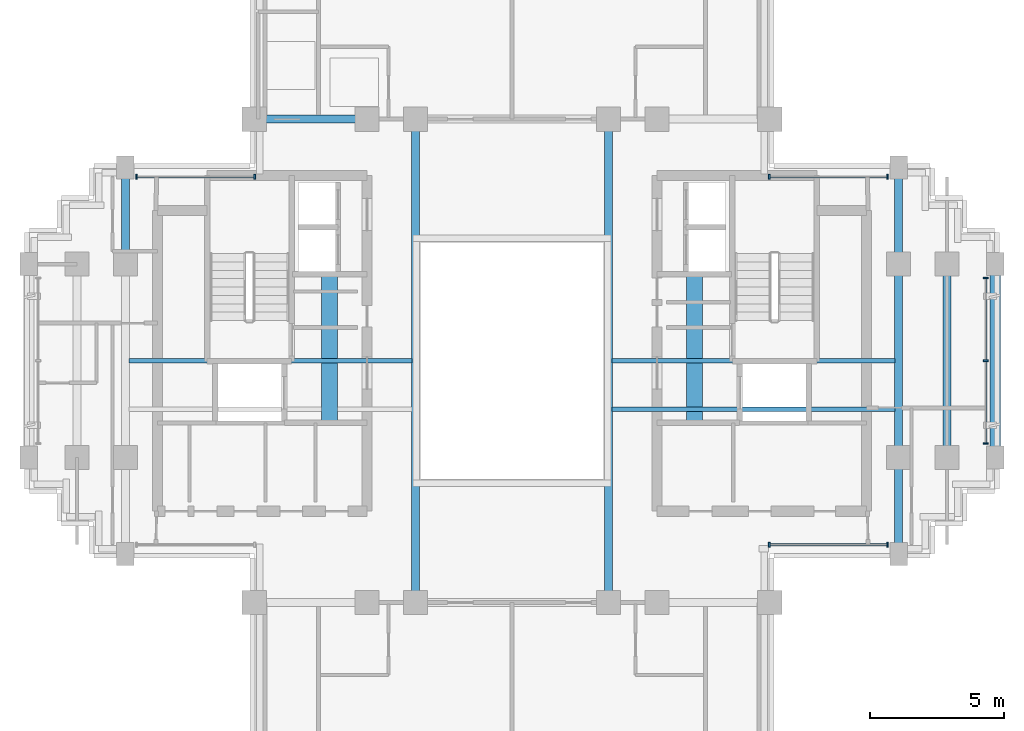
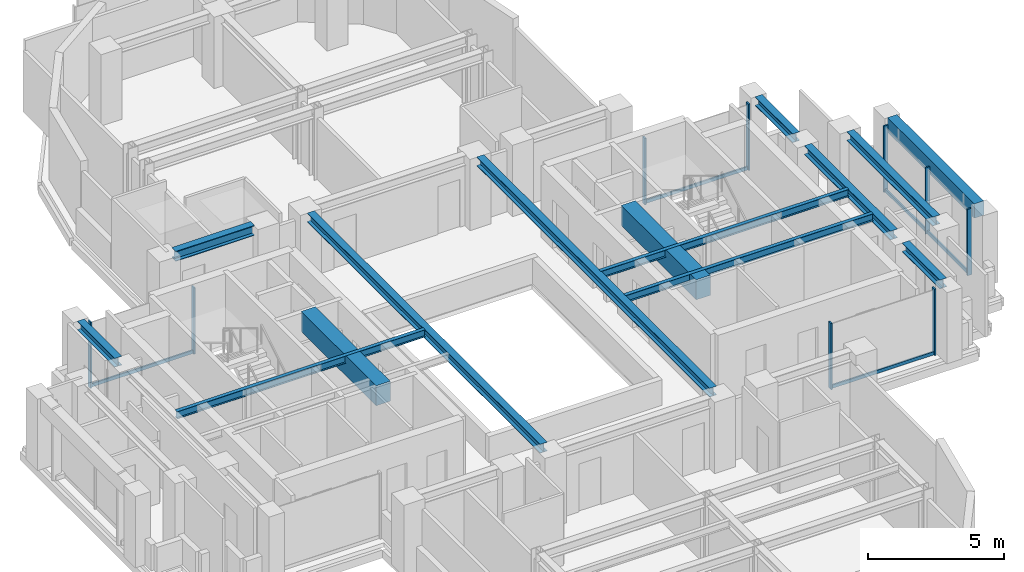
# One storey, part 3 of 12: 14 beams, 14 members, 4 elements without a shape of their own.
"""IFC4 building model written with IfcOpenShell, lengths in metres."""

import ifcopenshell
import ifcopenshell.guid

model = None  # the IFC model being written
_history = None  # IfcOwnerHistory: only IFC2X3 demands one
_inside = {}  # id of a spatial element -> (the spatial element, [elements in it])
_under = {}  # id of a project, library or spatial element -> (it, [spatial elements below it])
_declared = {}  # id of a project -> (the project, [libraries it declares])
_typed = {}  # id of a type object -> (the type object, [elements of that type])
_made_of = {}  # id of a material, layer set ... -> (it, [elements and type objects made of it])


def new_model(schema):
    """Start an empty IFC model of exactly this schema.

    Asked for "IFC4X3", IfcOpenShell would pick the latest addendum, in which some entities
    have other attributes; the version numbers below select the first issue.
    IFC2X3 requires an IfcOwnerHistory on every rooted entity: one is made here for all.
    """
    global model, _history
    if schema == "IFC4X3":
        model = ifcopenshell.file(schema_version=(4, 3, 0, 0))
    else:
        model = ifcopenshell.file(schema=schema)
    _inside.clear()
    _under.clear()
    _declared.clear()
    _typed.clear()
    _made_of.clear()
    _history = None
    if model.schema == "IFC2X3":
        org = make("IfcOrganization", Name="unknown")
        user = make(
            "IfcPersonAndOrganization",
            ThePerson=make("IfcPerson", FamilyName="unknown"),
            TheOrganization=org,
        )
        app = make(
            "IfcApplication",
            ApplicationDeveloper=org,
            Version="unknown",
            ApplicationFullName="unknown",
            ApplicationIdentifier="unknown",
        )
        _history = make(
            "IfcOwnerHistory",
            OwningUser=user,
            OwningApplication=app,
            ChangeAction="ADDED",
            CreationDate=0,
        )
    return model


def make(cls, **values):
    """One entity of the class cls with the attributes given. An attribute that is None is left unset."""
    return model.create_entity(
        cls, **{name: value for name, value in values.items() if value is not None}
    )


def rooted(cls, **values):
    """An entity with a GlobalId (a new one), such as an element, a storey or a relation."""
    return make(cls, GlobalId=ifcopenshell.guid.new(), OwnerHistory=_history, **values)


def si_unit(unit_type, name, prefix=None):
    """IfcSIUnit, for example si_unit("LENGTHUNIT", "METRE", prefix="MILLI")."""
    return make("IfcSIUnit", UnitType=unit_type, Prefix=prefix, Name=name)


def assignment(units):
    """IfcUnitAssignment: the units of a project."""
    return None if units is None else make("IfcUnitAssignment", Units=units)


def point(xyz):
    """IfcCartesianPoint."""
    return None if xyz is None else make("IfcCartesianPoint", Coordinates=xyz)


def direction(xyz):
    """IfcDirection."""
    return None if xyz is None else make("IfcDirection", DirectionRatios=xyz)


def frame(location, z_axis=None, x_axis=None):
    """IfcAxis2Placement3D, a coordinate frame: its origin and axes. An axis left out is left unset."""
    return make(
        "IfcAxis2Placement3D",
        Location=point(location),
        Axis=direction(z_axis),
        RefDirection=direction(x_axis),
    )


def frame_2d(location, x_axis=None):
    """IfcAxis2Placement2D, a coordinate frame in the plane: its origin and x axis."""
    return make(
        "IfcAxis2Placement2D", Location=point(location), RefDirection=direction(x_axis)
    )


def origin():
    """The frame at (0, 0, 0) with its axes left unset."""
    return frame((0.0, 0.0, 0.0))


def origin_2d():
    """The frame at (0, 0) in the plane with its x axis left unset."""
    return frame_2d((0.0, 0.0))


def place(relative_to, where):
    """IfcLocalPlacement: puts the frame where relative to a parent placement (None: the world)."""
    return make(
        "IfcLocalPlacement", PlacementRelTo=relative_to, RelativePlacement=where
    )


def context(
    kind, dimensions, precision=None, world=None, true_north=None, identifier=None
):
    """IfcGeometricRepresentationContext, for example the 3D "Model" context."""
    return make(
        "IfcGeometricRepresentationContext",
        ContextIdentifier=identifier,
        ContextType=kind,
        CoordinateSpaceDimension=dimensions,
        Precision=precision,
        WorldCoordinateSystem=world,
        TrueNorth=true_north,
    )


def subcontext(parent, identifier, kind, view, scale=None):
    """IfcGeometricRepresentationSubContext, for example "Body" below "Model"."""
    return make(
        "IfcGeometricRepresentationSubContext",
        ContextIdentifier=identifier,
        ContextType=kind,
        ParentContext=parent,
        TargetScale=scale,
        TargetView=view,
    )


def project(units=None, contexts=None):
    """IfcProject with its units and contexts."""
    return rooted(
        "IfcProject",
        Name="project",
        RepresentationContexts=contexts,
        UnitsInContext=assignment(units),
    )


def spatial(cls, under=None, at=None, **own):
    """A site, building, storey or space (cls), placed at a placement, below another one or the project."""
    s = rooted(cls, ObjectPlacement=at, **own)
    if under is not None:
        _under.setdefault(under.id(), (under, []))[1].append(s)
    return s


def profile(cls, at=None, kind="AREA", **sizes):
    """A parametric profile (cls). Its sizes go by their IFC names, for example OverallWidth=200.0."""
    return make(cls, ProfileType=kind, Position=at, **sizes)


def rectangle(**sizes):
    """IfcRectangleProfileDef."""
    return profile("IfcRectangleProfileDef", **sizes)


def i_section(**sizes):
    """IfcIShapeProfileDef."""
    return profile("IfcIShapeProfileDef", **sizes)


def extrude(swept, where, along, depth):
    """IfcExtrudedAreaSolid: the profile swept, set in the frame where, extruded along a direction by depth."""
    return make(
        "IfcExtrudedAreaSolid",
        SweptArea=swept,
        Position=where,
        ExtrudedDirection=direction(along),
        Depth=depth,
    )


def shape(context_of_items, identifier, shape_type, items):
    """IfcShapeRepresentation: the items that make up one representation, for example the "Body"."""
    return make(
        "IfcShapeRepresentation",
        ContextOfItems=context_of_items,
        RepresentationIdentifier=identifier,
        RepresentationType=shape_type,
        Items=items,
    )


def source(mapping_origin, context_of_items, identifier, shape_type, items):
    """IfcRepresentationMap: a shape defined once, which mapped items show again and again."""
    return make(
        "IfcRepresentationMap",
        MappingOrigin=mapping_origin,
        MappedRepresentation=shape(context_of_items, identifier, shape_type, items),
    )


def transform(
    local_origin,
    x_axis=None,
    y_axis=None,
    z_axis=None,
    scale=None,
    scale2=None,
    scale3=None,
    uniform=True,
):
    """IfcCartesianTransformationOperator3D, or its non-uniform kind. x_axis, y_axis, z_axis: its Axis1, 2, 3."""
    if uniform:
        return make(
            "IfcCartesianTransformationOperator3D",
            Axis1=direction(x_axis),
            Axis2=direction(y_axis),
            LocalOrigin=point(local_origin),
            Scale=scale,
            Axis3=direction(z_axis),
        )
    return make(
        "IfcCartesianTransformationOperator3DnonUniform",
        Axis1=direction(x_axis),
        Axis2=direction(y_axis),
        LocalOrigin=point(local_origin),
        Scale=scale,
        Axis3=direction(z_axis),
        Scale2=scale2,
        Scale3=scale3,
    )


def mapped(mapping_source, mapping_target):
    """IfcMappedItem: shows the shape of a source again, moved by a transform."""
    return make(
        "IfcMappedItem", MappingSource=mapping_source, MappingTarget=mapping_target
    )


def material(Name=None, Category=None):
    """IfcMaterial."""
    return make("IfcMaterial", Name=Name, Category=Category)


def material_profile(
    of_material, cross_section, Name=None, Category=None, Priority=None
):
    """IfcMaterialProfile: a cross section and its material."""
    return make(
        "IfcMaterialProfile",
        Name=Name,
        Material=of_material,
        Profile=cross_section,
        Priority=Priority,
        Category=Category,
    )


def profile_set(profiles, Name=None, composite=None):
    """IfcMaterialProfileSet."""
    return make(
        "IfcMaterialProfileSet",
        Name=Name,
        MaterialProfiles=profiles,
        CompositeProfile=composite,
    )


def made_of(thing, what):
    """Note that an element or type object is made of a material, layer set ...; save() writes the relation."""
    if what is not None:
        _made_of.setdefault(what.id(), (what, []))[1].append(thing)
    return thing


def type_object(cls, material=None, **own):
    """A type object (cls), such as IfcWallType, which elements share."""
    return made_of(rooted(cls, **own), material)


def element(
    cls,
    number,
    at=None,
    inside=None,
    cuts=None,
    type_object=None,
    material=None,
    context=None,
    identifier="Body",
    shape_type=None,
    held_by="IfcProductDefinitionShape",
    body=None,
    shapes=None,
    **own,
):
    """One element of the class cls, such as IfcWall. Its Tag is "e" and its number.

    at: its placement. inside: the storey or other place that contains it. cuts: it is an
    opening in that element (IfcRelVoidsElement). A single representation is given by context,
    identifier, shape_type and body (its items); several are given by shapes. held_by: the class
    of the entity that holds the representations. save() writes the other relations.
    """
    e = rooted(cls, Tag="e%d" % number, ObjectPlacement=at, **own)
    if body is not None:
        shapes = [shape(context, identifier, shape_type, body)]
    if shapes is not None:
        e.Representation = make(held_by, Representations=shapes)
    if inside is not None:
        _inside.setdefault(inside.id(), (inside, []))[1].append(e)
    if cuts is not None:
        rooted(
            "IfcRelVoidsElement", RelatingBuildingElement=cuts, RelatedOpeningElement=e
        )
    if type_object is not None:
        _typed.setdefault(type_object.id(), (type_object, []))[1].append(e)
    return made_of(e, material)


def aggregate(whole, parts):
    """IfcRelAggregates: a whole, such as a stair, and the parts it consists of."""
    return rooted("IfcRelAggregates", RelatingObject=whole, RelatedObjects=parts)


def save(model, path):
    """Write the relations noted so far, then the file.

    IfcRelAggregates (storeys below a building ...), IfcRelContainedInSpatialStructure (elements
    in a storey), IfcRelDefinesByType, IfcRelAssociatesMaterial and IfcRelDeclares: one each for
    every whole, place, type object, material and project.
    """
    for whole, parts in _under.values():
        aggregate(whole, parts)
    for where, things in _inside.values():
        rooted(
            "IfcRelContainedInSpatialStructure",
            RelatedElements=things,
            RelatingStructure=where,
        )
    for kind, things in _typed.values():
        rooted("IfcRelDefinesByType", RelatedObjects=things, RelatingType=kind)
    for what, things in _made_of.values():
        rooted("IfcRelAssociatesMaterial", RelatedObjects=things, RelatingMaterial=what)
    for by, libraries in _declared.values():
        rooted("IfcRelDeclares", RelatingContext=by, RelatedDefinitions=libraries)
    model.write(path)


model = new_model("IFC4")

# Units and contexts
model_context = context("Model", 3, precision=1e-05, world=origin(), true_north=direction((0.0, 1.0)))
body_context = subcontext(model_context, "Body", "Model", "MODEL_VIEW")
ifc_project = project(units=[si_unit("LENGTHUNIT", "METRE"), si_unit("AREAUNIT", "SQUARE_METRE"), si_unit("VOLUMEUNIT", "CUBIC_METRE"), si_unit("PLANEANGLEUNIT", "RADIAN"), si_unit("MASSUNIT", "GRAM", prefix="KILO")], contexts=[model_context])

# Site, building, storey
site_placement = place(None, origin())
site = spatial("IfcSite", under=ifc_project, at=site_placement, CompositionType="ELEMENT")
building_placement = place(site_placement, origin())
building = spatial("IfcBuilding", under=site, at=building_placement, Name="Keilestroom Media Tower", CompositionType="ELEMENT")
storey_placement = place(building_placement, frame((0.0, 0.0, 184.199951171875)))
storey = spatial("IfcBuildingStorey", under=building, at=storey_placement, Name="L50", CompositionType="ELEMENT", Elevation=184.199951171875)

# Beams
ifc_material_1 = material(Name="Concrete C70/85", Category="concrete")
ifc_material_profile_1 = material_profile(ifc_material_1, rectangle(XDim=0.60009765625, YDim=0.89990234375, at=origin_2d()), Name="RC 600x900")
ifc_profile_set_1 = profile_set([ifc_material_profile_1], Name="Concrete C70/85")
beam_type_1 = type_object("IfcBeamType", Name="Core-Coupling-Lintel-Beam-RC-600x900", PredefinedType="LINTEL", material=ifc_profile_set_1)
shared_shape_1 = source(origin(), body_context, "Body", "SweptSolid", [
    extrude(rectangle(XDim=0.60009765625, YDim=0.89990234375, at=origin_2d()), origin(), (0.0, 0.0, 1.0), 5.52001953125),
])
for number, where, z_axis, x_axis, name in (
    (1, (-6.800048828125, -2.300048828125, 2.75), (0.0, 1.0, 0.0), (-1.0, 0.0, 0.0), "L50 Beam CLB-1 CLB-L50-W"),
    (2, (6.800048828125, -2.300048828125, 2.75), (0.0, 1.0, 0.0), (-1.0, 0.0, 0.0), "L50 Beam CLB-1 CLB-L50-E"),
):
    element("IfcBeam", number, at=place(storey_placement, frame(where, z_axis=z_axis, x_axis=x_axis)), inside=storey, type_object=beam_type_1, Name=name, PredefinedType="LINTEL", context=body_context, shape_type="MappedRepresentation", body=[
        mapped(shared_shape_1, transform((0.0, 0.0, 0.0), x_axis=(1.0, 0.0, 0.0), y_axis=(0.0, 1.0, 0.0), z_axis=(0.0, 0.0, 1.0), scale=1.0)),
    ])
ifc_material_2 = material(Name="Steel S355", Category="steel")
ifc_material_profile_2 = material_profile(ifc_material_2, i_section(OverallWidth=0.300048828125, OverallDepth=0.449951171875, WebThickness=0.011962890625, FlangeThickness=0.02587890625, at=origin_2d()), Name="HEB 450")
ifc_profile_set_2 = profile_set([ifc_material_profile_2], Name="Steel S355")
beam_type_2 = type_object("IfcBeamType", Name="Primary-Structural-Girder-HEB-450", PredefinedType="BEAM", material=ifc_profile_set_2)
shared_shape_2 = source(origin(), body_context, "Body", "SweptSolid", [
    extrude(i_section(OverallWidth=0.300048828125, OverallDepth=0.449951171875, WebThickness=0.011962890625, FlangeThickness=0.02587890625, at=origin_2d()), origin(), (0.0, 0.0, 1.0), 3.33984375),
])
beam_1_placement = place(storey_placement, frame((-9.169921875, 9.0, 2.97509765625), z_axis=(1.0, 0.0, 0.0), x_axis=(0.0, 1.0, 0.0)))
element("IfcBeam", 3, at=beam_1_placement, inside=storey, type_object=beam_type_2, Name="L50 Beam BG-7 BM-L50-EW-020", PredefinedType="BEAM", context=body_context, shape_type="MappedRepresentation", body=[
    mapped(shared_shape_2, transform((0.0, 0.0, 0.0), x_axis=(1.0, 0.0, 0.0), y_axis=(0.0, 1.0, 0.0), z_axis=(0.0, 0.0, 1.0), scale=1.0)),
])
ifc_material_3 = material(Name="Precast concrete C40/50", Category="concrete")
ifc_material_profile_3 = material_profile(ifc_material_3, rectangle(XDim=0.39990234375, YDim=0.64990234375, at=origin_2d()), Name="PC 400x650")
ifc_profile_set_3 = profile_set([ifc_material_profile_3], Name="Precast concrete C40/50")
beam_type_3 = type_object("IfcBeamType", Name="Perimeter-Spandrel-Beam-PC-400x650", PredefinedType="SPANDREL", material=ifc_profile_set_3)
shared_shape_3 = source(origin(), body_context, "Body", "SweptSolid", [
    extrude(rectangle(XDim=0.39990234375, YDim=0.64990234375, at=origin_2d()), origin(), (0.0, 0.0, 1.0), 6.39013671875),
])
beam_2_placement = place(storey_placement, frame((18.0, -3.195068359375, 2.875), z_axis=(0.0, 1.0, 0.0), x_axis=(-1.0, 0.0, 0.0)))
element("IfcBeam", 4, at=beam_2_placement, inside=storey, type_object=beam_type_3, Name="L50 Beam SPB-2 BM-L50-NS-054", PredefinedType="SPANDREL", context=body_context, shape_type="MappedRepresentation", body=[
    mapped(shared_shape_3, transform((0.0, 0.0, 0.0), x_axis=(1.0, 0.0, 0.0), y_axis=(0.0, 1.0, 0.0), z_axis=(0.0, 0.0, 1.0), scale=1.0)),
])
ifc_material_profile_4 = material_profile(ifc_material_2, i_section(OverallWidth=0.300048828125, OverallDepth=0.39990234375, WebThickness=0.011474609375, FlangeThickness=0.02392578125, at=origin_2d()), Name="HEB 400")
ifc_profile_set_4 = profile_set([ifc_material_profile_4], Name="Steel S355")
beam_type_4 = type_object("IfcBeamType", Name="Primary-Structural-Girder-HEB-400", PredefinedType="BEAM", material=ifc_profile_set_4)
shared_shape_4 = source(origin(), body_context, "Body", "SweptSolid", [
    extrude(i_section(OverallWidth=0.300048828125, OverallDepth=0.39990234375, WebThickness=0.011474609375, FlangeThickness=0.02392578125, at=origin_2d()), origin(), (0.0, 0.0, 1.0), 6.33984375),
])
for number, where, z_axis, x_axis, name in (
    (5, (14.39990234375, -3.169921875, 3.0), (0.0, 1.0, 0.0), (-1.0, 0.0, 0.0), "L50 Beam BG-8 BM-L50-NS-051"),
    (6, (16.199951171875, -3.169921875, 3.0), (0.0, 1.0, 0.0), (-1.0, 0.0, 0.0), "L50 Beam BG-8 BM-L50-NS-053"),
):
    element("IfcBeam", number, at=place(storey_placement, frame(where, z_axis=z_axis, x_axis=x_axis)), inside=storey, type_object=beam_type_4, Name=name, PredefinedType="BEAM", context=body_context, shape_type="MappedRepresentation", body=[
        mapped(shared_shape_4, transform((0.0, 0.0, 0.0), x_axis=(1.0, 0.0, 0.0), y_axis=(0.0, 1.0, 0.0), z_axis=(0.0, 0.0, 1.0), scale=1.0)),
    ])
shared_shape_5 = source(origin(), body_context, "Body", "SweptSolid", [
    extrude(i_section(OverallWidth=0.300048828125, OverallDepth=0.39990234375, WebThickness=0.011474609375, FlangeThickness=0.02392578125, at=origin_2d()), origin(), (0.0, 0.0, 1.0), 2.764892578125),
])
for number, where, z_axis, x_axis, name in (
    (7, (-14.39990234375, 4.030029296875, 3.0), (0.0, 1.0, 0.0), (-1.0, 0.0, 0.0), "L50 Beam BG-8 BM-L50-NS-035"),
    (8, (14.39990234375, -6.794921875, 3.0), (0.0, 1.0, 0.0), (-1.0, 0.0, 0.0), "L50 Beam BG-8 BM-L50-NS-050"),
    (9, (14.39990234375, 4.030029296875, 3.0), (0.0, 1.0, 0.0), (-1.0, 0.0, 0.0), "L50 Beam BG-8 BM-L50-NS-052"),
):
    element("IfcBeam", number, at=place(storey_placement, frame(where, z_axis=z_axis, x_axis=x_axis)), inside=storey, type_object=beam_type_4, Name=name, PredefinedType="BEAM", context=body_context, shape_type="MappedRepresentation", body=[
        mapped(shared_shape_5, transform((0.0, 0.0, 0.0), x_axis=(1.0, 0.0, 0.0), y_axis=(0.0, 1.0, 0.0), z_axis=(0.0, 0.0, 1.0), scale=1.0)),
    ])
shared_shape_6 = source(origin(), body_context, "Body", "SweptSolid", [
    extrude(i_section(OverallWidth=0.300048828125, OverallDepth=0.39990234375, WebThickness=0.011474609375, FlangeThickness=0.02392578125, at=origin_2d()), origin(), (0.0, 0.0, 1.0), 17.14013671875),
])
for number, where, z_axis, x_axis, name in (
    (10, (-3.60009765625, -8.570068359375, 3.0), (0.0, 1.0, 0.0), (-1.0, 0.0, 0.0), "L50 Beam BG-8 BM-L50-NS-040"),
    (11, (3.60009765625, -8.570068359375, 3.0), (0.0, 1.0, 0.0), (-1.0, 0.0, 0.0), "L50 Beam BG-8 BM-L50-NS-045"),
):
    element("IfcBeam", number, at=place(storey_placement, frame(where, z_axis=z_axis, x_axis=x_axis)), inside=storey, type_object=beam_type_4, Name=name, PredefinedType="BEAM", context=body_context, shape_type="MappedRepresentation", body=[
        mapped(shared_shape_6, transform((0.0, 0.0, 0.0), x_axis=(1.0, 0.0, 0.0), y_axis=(0.0, 1.0, 0.0), z_axis=(0.0, 0.0, 1.0), scale=1.0)),
    ])
ifc_material_profile_5 = material_profile(ifc_material_2, i_section(OverallWidth=0.159912109375, OverallDepth=0.330078125, WebThickness=0.007568359375, FlangeThickness=0.011474609375, at=origin_2d()), Name="IPE 330")
ifc_profile_set_5 = profile_set([ifc_material_profile_5], Name="Steel S355")
beam_type_5 = type_object("IfcBeamType", Name="Secondary-Floor-Joist-IPE-330", PredefinedType="JOIST", material=ifc_profile_set_5)
shared_shape_7 = source(origin(), body_context, "Body", "SweptSolid", [
    extrude(i_section(OverallWidth=0.159912109375, OverallDepth=0.330078125, WebThickness=0.007568359375, FlangeThickness=0.011474609375, at=origin_2d()), origin(), (0.0, 0.0, 1.0), 10.5400390625),
])
for number, where, z_axis, x_axis, name in (
    (12, (3.72998046875, -1.800048828125, 3.03515625), (1.0, 0.0, 0.0), (0.0, 1.0, 0.0), "L50 Beam BJ-6 JST-L50-059"),
    (13, (-14.27001953125, 0.0, 3.03515625), (1.0, 0.0, 0.0), (0.0, 1.0, 0.0), "L50 Beam BJ-6 JST-L50-060"),
    (14, (3.72998046875, 0.0, 3.03515625), (1.0, 0.0, 0.0), (0.0, 1.0, 0.0), "L50 Beam BJ-6 JST-L50-062"),
):
    element("IfcBeam", number, at=place(storey_placement, frame(where, z_axis=z_axis, x_axis=x_axis)), inside=storey, type_object=beam_type_5, Name=name, PredefinedType="JOIST", context=body_context, shape_type="MappedRepresentation", body=[
        mapped(shared_shape_7, transform((0.0, 0.0, 0.0), x_axis=(1.0, 0.0, 0.0), y_axis=(0.0, 1.0, 0.0), z_axis=(0.0, 0.0, 1.0), scale=1.0)),
    ])

# Curtain wall, members
ifc_material_4 = material(Name="Anodised Aluminium Alloy", Category="aluminium")
curtain_wall_type = type_object("IfcCurtainWallType", Name="Unitised-Curtain-Wall-CW-3", PredefinedType="NOTDEFINED", material=ifc_material_4)
curtain_wall_1_placement = place(storey_placement, origin())
curtain_wall_1 = element("IfcCurtainWall", 15, at=curtain_wall_1_placement, inside=storey, type_object=curtain_wall_type, Name="L50 Curtain Wall CW-3 CW-L50-E-1", PredefinedType="NOTDEFINED")
ifc_material_profile_6 = material_profile(ifc_material_4, rectangle(XDim=0.06494140625, YDim=0.179931640625, at=origin_2d()), Name="ALU MULLION 65x180")
ifc_profile_set_6 = profile_set([ifc_material_profile_6], Name="Anodised Aluminium Alloy")
member_type_1 = type_object("IfcMemberType", Name="Curtain-Wall-Mullion-CW-3", PredefinedType="MULLION", material=ifc_profile_set_6)
shared_shape_8 = source(origin(), body_context, "Body", "SweptSolid", [
    extrude(rectangle(XDim=0.06494140625, YDim=0.179931640625, at=origin_2d()), origin(), (0.0, 0.0, 1.0), 2.97998046875),
])
member_1_placement = place(storey_placement, frame((17.64990234375, -3.08251953125, 0.0), z_axis=(0.0, 0.0, 1.0), x_axis=(0.0, 1.0, 0.0)))
member_1 = element("IfcMember", 16, at=member_1_placement, type_object=member_type_1, Name="CW-3 Mullion 00", PredefinedType="MULLION", context=body_context, shape_type="MappedRepresentation", body=[
    mapped(shared_shape_8, transform((0.0, 0.0, 0.0), x_axis=(1.0, 0.0, 0.0), y_axis=(0.0, 1.0, 0.0), z_axis=(0.0, 0.0, 1.0), scale=1.0)),
])
member_2_placement = place(storey_placement, frame((17.64990234375, 0.0, 0.0), z_axis=(0.0, 0.0, 1.0), x_axis=(0.0, 1.0, 0.0)))
member_2 = element("IfcMember", 17, at=member_2_placement, type_object=member_type_1, Name="CW-3 Mullion 01", PredefinedType="MULLION", context=body_context, shape_type="MappedRepresentation", body=[
    mapped(shared_shape_8, transform((0.0, 0.0, 0.0), x_axis=(1.0, 0.0, 0.0), y_axis=(0.0, 1.0, 0.0), z_axis=(0.0, 0.0, 1.0), scale=1.0)),
])
member_3_placement = place(storey_placement, frame((17.64990234375, 3.08251953125, 0.0), z_axis=(0.0, 0.0, 1.0), x_axis=(0.0, 1.0, 0.0)))
member_3 = element("IfcMember", 18, at=member_3_placement, type_object=member_type_1, Name="CW-3 Mullion 02", PredefinedType="MULLION", context=body_context, shape_type="MappedRepresentation", body=[
    mapped(shared_shape_8, transform((0.0, 0.0, 0.0), x_axis=(1.0, 0.0, 0.0), y_axis=(0.0, 1.0, 0.0), z_axis=(0.0, 0.0, 1.0), scale=1.0)),
])

curtain_wall_2_placement = place(storey_placement, origin())
curtain_wall_2 = element("IfcCurtainWall", 19, at=curtain_wall_2_placement, inside=storey, type_object=curtain_wall_type, Name="L50 Curtain Wall CW-3 CW-L50-NW-1", PredefinedType="NOTDEFINED")
member_4_placement = place(storey_placement, frame((-13.982421875, 6.85009765625, 0.0), z_axis=(0.0, 0.0, 1.0), x_axis=(1.0, 0.0, 0.0)))
member_4 = element("IfcMember", 20, at=member_4_placement, type_object=member_type_1, Name="CW-3 Mullion 00", PredefinedType="MULLION", context=body_context, shape_type="MappedRepresentation", body=[
    mapped(shared_shape_8, transform((0.0, 0.0, 0.0), x_axis=(1.0, 0.0, 0.0), y_axis=(0.0, 1.0, 0.0), z_axis=(0.0, 0.0, 1.0), scale=1.0)),
])
member_5_placement = place(storey_placement, frame((-9.58251953125, 6.85009765625, 0.0), z_axis=(0.0, 0.0, 1.0), x_axis=(1.0, 0.0, 0.0)))
member_5 = element("IfcMember", 21, at=member_5_placement, type_object=member_type_1, Name="CW-3 Mullion 01", PredefinedType="MULLION", context=body_context, shape_type="MappedRepresentation", body=[
    mapped(shared_shape_8, transform((0.0, 0.0, 0.0), x_axis=(1.0, 0.0, 0.0), y_axis=(0.0, 1.0, 0.0), z_axis=(0.0, 0.0, 1.0), scale=1.0)),
])

curtain_wall_3_placement = place(storey_placement, origin())
curtain_wall_3 = element("IfcCurtainWall", 22, at=curtain_wall_3_placement, inside=storey, type_object=curtain_wall_type, Name="L50 Curtain Wall CW-3 CW-L50-NE-1", PredefinedType="NOTDEFINED")
member_6_placement = place(storey_placement, frame((9.58251953125, 6.85009765625, 0.0), z_axis=(0.0, 0.0, 1.0), x_axis=(1.0, 0.0, 0.0)))
member_6 = element("IfcMember", 23, at=member_6_placement, type_object=member_type_1, Name="CW-3 Mullion 00", PredefinedType="MULLION", context=body_context, shape_type="MappedRepresentation", body=[
    mapped(shared_shape_8, transform((0.0, 0.0, 0.0), x_axis=(1.0, 0.0, 0.0), y_axis=(0.0, 1.0, 0.0), z_axis=(0.0, 0.0, 1.0), scale=1.0)),
])
member_7_placement = place(storey_placement, frame((13.982421875, 6.85009765625, 0.0), z_axis=(0.0, 0.0, 1.0), x_axis=(1.0, 0.0, 0.0)))
member_7 = element("IfcMember", 24, at=member_7_placement, type_object=member_type_1, Name="CW-3 Mullion 01", PredefinedType="MULLION", context=body_context, shape_type="MappedRepresentation", body=[
    mapped(shared_shape_8, transform((0.0, 0.0, 0.0), x_axis=(1.0, 0.0, 0.0), y_axis=(0.0, 1.0, 0.0), z_axis=(0.0, 0.0, 1.0), scale=1.0)),
])

curtain_wall_4_placement = place(storey_placement, origin())
curtain_wall_4 = element("IfcCurtainWall", 25, at=curtain_wall_4_placement, inside=storey, type_object=curtain_wall_type, Name="L50 Curtain Wall CW-3 CW-L50-SE-1", PredefinedType="NOTDEFINED")
member_8_placement = place(storey_placement, frame((9.58251953125, -6.85009765625, 0.0), z_axis=(0.0, 0.0, 1.0), x_axis=(1.0, 0.0, 0.0)))
member_8 = element("IfcMember", 26, at=member_8_placement, type_object=member_type_1, Name="CW-3 Mullion 00", PredefinedType="MULLION", context=body_context, shape_type="MappedRepresentation", body=[
    mapped(shared_shape_8, transform((0.0, 0.0, 0.0), x_axis=(1.0, 0.0, 0.0), y_axis=(0.0, 1.0, 0.0), z_axis=(0.0, 0.0, 1.0), scale=1.0)),
])
member_9_placement = place(storey_placement, frame((13.982421875, -6.85009765625, 0.0), z_axis=(0.0, 0.0, 1.0), x_axis=(1.0, 0.0, 0.0)))
member_9 = element("IfcMember", 27, at=member_9_placement, type_object=member_type_1, Name="CW-3 Mullion 01", PredefinedType="MULLION", context=body_context, shape_type="MappedRepresentation", body=[
    mapped(shared_shape_8, transform((0.0, 0.0, 0.0), x_axis=(1.0, 0.0, 0.0), y_axis=(0.0, 1.0, 0.0), z_axis=(0.0, 0.0, 1.0), scale=1.0)),
])

# Member
ifc_material_profile_7 = material_profile(ifc_material_4, rectangle(XDim=0.06494140625, YDim=0.14990234375, at=origin_2d()), Name="ALU TRANSOM 65x150")
ifc_profile_set_7 = profile_set([ifc_material_profile_7], Name="Anodised Aluminium Alloy")
member_type_2 = type_object("IfcMemberType", Name="Curtain-Wall-Transom-CW-3", PredefinedType="USERDEFINED", material=ifc_profile_set_7)
shared_shape_9 = source(origin(), body_context, "Body", "SweptSolid", [
    extrude(rectangle(XDim=0.06494140625, YDim=0.14990234375, at=origin_2d()), origin(), (0.0, 0.0, 1.0), 4.3388671875),
])
member_10_placement = place(storey_placement, frame((-13.951904296875, 6.85009765625, 0.074951171875), z_axis=(1.0, 0.0, 0.0), x_axis=(0.0, 1.0, 0.0)))
member_10 = element("IfcMember", 28, at=member_10_placement, type_object=member_type_2, Name="CW-3 Transom 00.1", ObjectType="TRANSOM", PredefinedType="USERDEFINED", context=body_context, shape_type="MappedRepresentation", body=[
    mapped(shared_shape_9, transform((0.0, 0.0, 0.0), x_axis=(1.0, 0.0, 0.0), y_axis=(0.0, 1.0, 0.0), z_axis=(0.0, 0.0, 1.0), scale=1.0)),
])

aggregate(curtain_wall_2, [member_4, member_5, member_10])

member_11_placement = place(storey_placement, frame((9.613037109375, 6.85009765625, 0.074951171875), z_axis=(1.0, 0.0, 0.0), x_axis=(0.0, 1.0, 0.0)))
member_11 = element("IfcMember", 29, at=member_11_placement, type_object=member_type_2, Name="CW-3 Transom 00.1", ObjectType="TRANSOM", PredefinedType="USERDEFINED", context=body_context, shape_type="MappedRepresentation", body=[
    mapped(shared_shape_9, transform((0.0, 0.0, 0.0), x_axis=(1.0, 0.0, 0.0), y_axis=(0.0, 1.0, 0.0), z_axis=(0.0, 0.0, 1.0), scale=1.0)),
])

aggregate(curtain_wall_3, [member_6, member_7, member_11])

member_12_placement = place(storey_placement, frame((9.613037109375, -6.85009765625, 0.074951171875), z_axis=(1.0, 0.0, 0.0), x_axis=(0.0, 1.0, 0.0)))
member_12 = element("IfcMember", 30, at=member_12_placement, type_object=member_type_2, Name="CW-3 Transom 00.1", ObjectType="TRANSOM", PredefinedType="USERDEFINED", context=body_context, shape_type="MappedRepresentation", body=[
    mapped(shared_shape_9, transform((0.0, 0.0, 0.0), x_axis=(1.0, 0.0, 0.0), y_axis=(0.0, 1.0, 0.0), z_axis=(0.0, 0.0, 1.0), scale=1.0)),
])

aggregate(curtain_wall_4, [member_8, member_9, member_12])

shared_shape_10 = source(origin(), body_context, "Body", "SweptSolid", [
    extrude(rectangle(XDim=0.06494140625, YDim=0.14990234375, at=origin_2d()), origin(), (0.0, 0.0, 1.0), 3.021484375),
])
member_13_placement = place(storey_placement, frame((17.64990234375, -3.052001953125, 0.074951171875), z_axis=(0.0, 1.0, 0.0), x_axis=(-1.0, 0.0, 0.0)))
member_13 = element("IfcMember", 31, at=member_13_placement, type_object=member_type_2, Name="CW-3 Transom 00.1", ObjectType="TRANSOM", PredefinedType="USERDEFINED", context=body_context, shape_type="MappedRepresentation", body=[
    mapped(shared_shape_10, transform((0.0, 0.0, 0.0), x_axis=(1.0, 0.0, 0.0), y_axis=(0.0, 1.0, 0.0), z_axis=(0.0, 0.0, 1.0), scale=1.0)),
])

member_14_placement = place(storey_placement, frame((17.64990234375, 0.030517578125, 0.074951171875), z_axis=(0.0, 1.0, 0.0), x_axis=(-1.0, 0.0, 0.0)))
member_14 = element("IfcMember", 32, at=member_14_placement, type_object=member_type_2, Name="CW-3 Transom 01.1", ObjectType="TRANSOM", PredefinedType="USERDEFINED", context=body_context, shape_type="MappedRepresentation", body=[
    mapped(shared_shape_10, transform((0.0, 0.0, 0.0), x_axis=(1.0, 0.0, 0.0), y_axis=(0.0, 1.0, 0.0), z_axis=(0.0, 0.0, 1.0), scale=1.0)),
])

aggregate(curtain_wall_1, [member_1, member_2, member_3, member_13, member_14])

save(model, "model.ifc")
